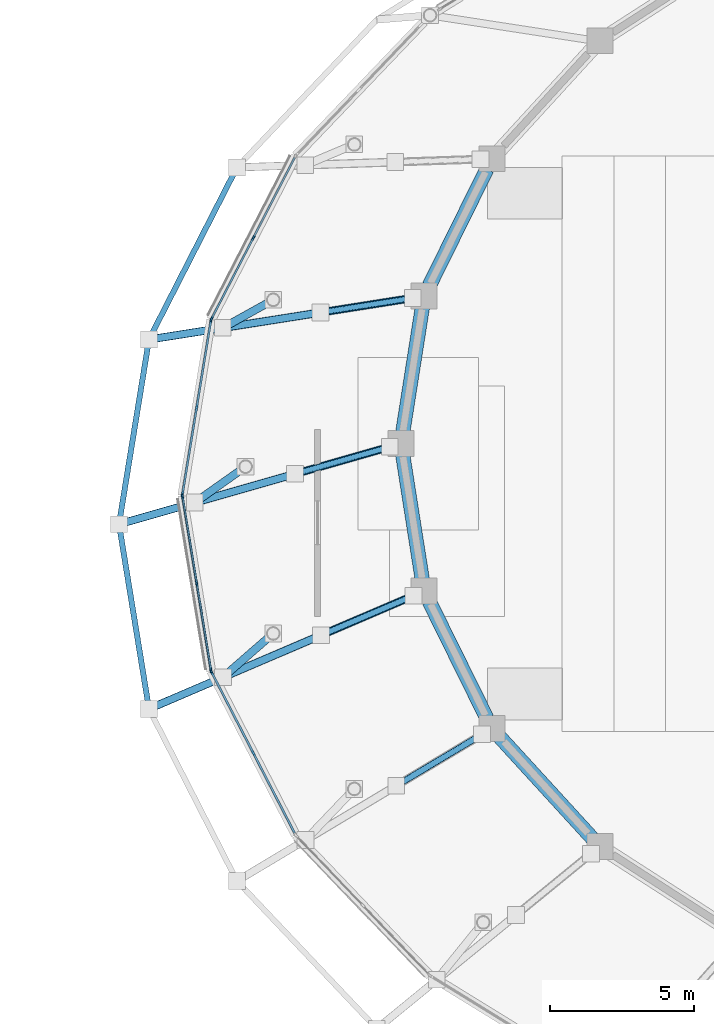
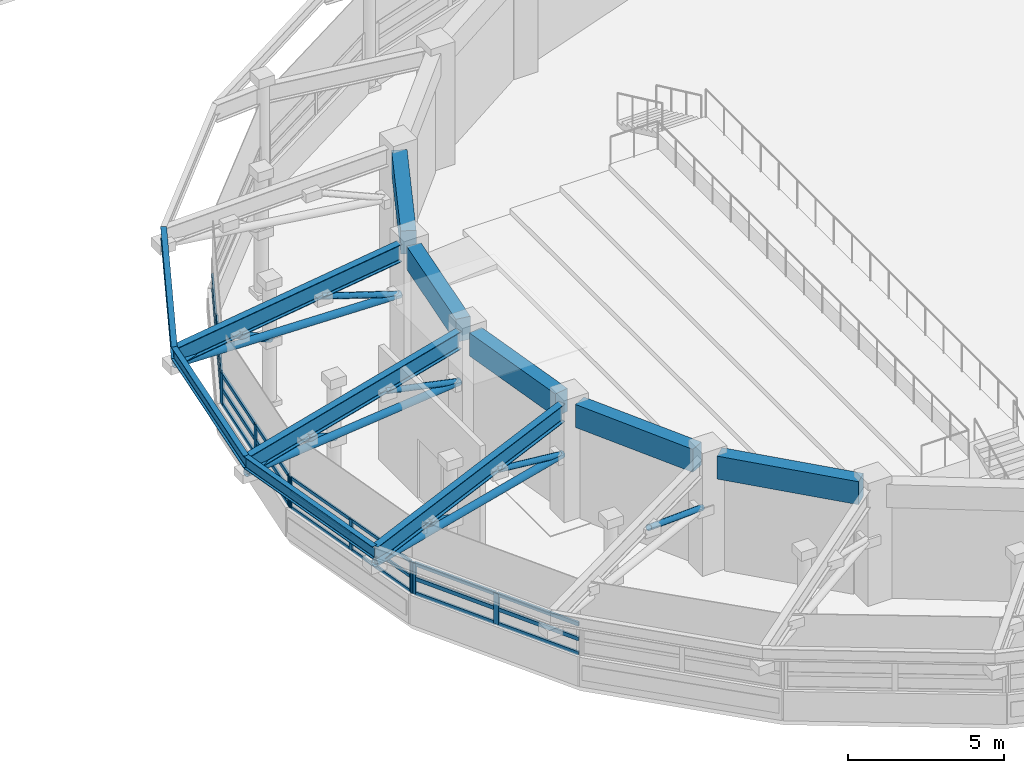
# One storey, part 13 of 56: 43 members, 11 beams, 4 elements without a shape of their own.
"""IFC4 building model written with IfcOpenShell, lengths in metres."""

import ifcopenshell
import ifcopenshell.guid

model = None  # the IFC model being written
_history = None  # IfcOwnerHistory: only IFC2X3 demands one
_inside = {}  # id of a spatial element -> (the spatial element, [elements in it])
_under = {}  # id of a project, library or spatial element -> (it, [spatial elements below it])
_declared = {}  # id of a project -> (the project, [libraries it declares])
_typed = {}  # id of a type object -> (the type object, [elements of that type])
_made_of = {}  # id of a material, layer set ... -> (it, [elements and type objects made of it])


def new_model(schema):
    """Start an empty IFC model of exactly this schema.

    Asked for "IFC4X3", IfcOpenShell would pick the latest addendum, in which some entities
    have other attributes; the version numbers below select the first issue.
    IFC2X3 requires an IfcOwnerHistory on every rooted entity: one is made here for all.
    """
    global model, _history
    if schema == "IFC4X3":
        model = ifcopenshell.file(schema_version=(4, 3, 0, 0))
    else:
        model = ifcopenshell.file(schema=schema)
    _inside.clear()
    _under.clear()
    _declared.clear()
    _typed.clear()
    _made_of.clear()
    _history = None
    if model.schema == "IFC2X3":
        org = make("IfcOrganization", Name="unknown")
        user = make(
            "IfcPersonAndOrganization",
            ThePerson=make("IfcPerson", FamilyName="unknown"),
            TheOrganization=org,
        )
        app = make(
            "IfcApplication",
            ApplicationDeveloper=org,
            Version="unknown",
            ApplicationFullName="unknown",
            ApplicationIdentifier="unknown",
        )
        _history = make(
            "IfcOwnerHistory",
            OwningUser=user,
            OwningApplication=app,
            ChangeAction="ADDED",
            CreationDate=0,
        )
    return model


def make(cls, **values):
    """One entity of the class cls with the attributes given. An attribute that is None is left unset."""
    return model.create_entity(
        cls, **{name: value for name, value in values.items() if value is not None}
    )


def rooted(cls, **values):
    """An entity with a GlobalId (a new one), such as an element, a storey or a relation."""
    return make(cls, GlobalId=ifcopenshell.guid.new(), OwnerHistory=_history, **values)


def si_unit(unit_type, name, prefix=None):
    """IfcSIUnit, for example si_unit("LENGTHUNIT", "METRE", prefix="MILLI")."""
    return make("IfcSIUnit", UnitType=unit_type, Prefix=prefix, Name=name)


def assignment(units):
    """IfcUnitAssignment: the units of a project."""
    return None if units is None else make("IfcUnitAssignment", Units=units)


def point(xyz):
    """IfcCartesianPoint."""
    return None if xyz is None else make("IfcCartesianPoint", Coordinates=xyz)


def direction(xyz):
    """IfcDirection."""
    return None if xyz is None else make("IfcDirection", DirectionRatios=xyz)


def frame(location, z_axis=None, x_axis=None):
    """IfcAxis2Placement3D, a coordinate frame: its origin and axes. An axis left out is left unset."""
    return make(
        "IfcAxis2Placement3D",
        Location=point(location),
        Axis=direction(z_axis),
        RefDirection=direction(x_axis),
    )


def frame_2d(location, x_axis=None):
    """IfcAxis2Placement2D, a coordinate frame in the plane: its origin and x axis."""
    return make(
        "IfcAxis2Placement2D", Location=point(location), RefDirection=direction(x_axis)
    )


def origin():
    """The frame at (0, 0, 0) with its axes left unset."""
    return frame((0.0, 0.0, 0.0))


def origin_2d():
    """The frame at (0, 0) in the plane with its x axis left unset."""
    return frame_2d((0.0, 0.0))


def place(relative_to, where):
    """IfcLocalPlacement: puts the frame where relative to a parent placement (None: the world)."""
    return make(
        "IfcLocalPlacement", PlacementRelTo=relative_to, RelativePlacement=where
    )


def context(
    kind, dimensions, precision=None, world=None, true_north=None, identifier=None
):
    """IfcGeometricRepresentationContext, for example the 3D "Model" context."""
    return make(
        "IfcGeometricRepresentationContext",
        ContextIdentifier=identifier,
        ContextType=kind,
        CoordinateSpaceDimension=dimensions,
        Precision=precision,
        WorldCoordinateSystem=world,
        TrueNorth=true_north,
    )


def subcontext(parent, identifier, kind, view, scale=None):
    """IfcGeometricRepresentationSubContext, for example "Body" below "Model"."""
    return make(
        "IfcGeometricRepresentationSubContext",
        ContextIdentifier=identifier,
        ContextType=kind,
        ParentContext=parent,
        TargetScale=scale,
        TargetView=view,
    )


def project(units=None, contexts=None):
    """IfcProject with its units and contexts."""
    return rooted(
        "IfcProject",
        Name="project",
        RepresentationContexts=contexts,
        UnitsInContext=assignment(units),
    )


def spatial(cls, under=None, at=None, **own):
    """A site, building, storey or space (cls), placed at a placement, below another one or the project."""
    s = rooted(cls, ObjectPlacement=at, **own)
    if under is not None:
        _under.setdefault(under.id(), (under, []))[1].append(s)
    return s


def profile(cls, at=None, kind="AREA", **sizes):
    """A parametric profile (cls). Its sizes go by their IFC names, for example OverallWidth=200.0."""
    return make(cls, ProfileType=kind, Position=at, **sizes)


def rectangle(**sizes):
    """IfcRectangleProfileDef."""
    return profile("IfcRectangleProfileDef", **sizes)


def hollow_circle(**sizes):
    """IfcCircleHollowProfileDef."""
    return profile("IfcCircleHollowProfileDef", **sizes)


def i_section(**sizes):
    """IfcIShapeProfileDef."""
    return profile("IfcIShapeProfileDef", **sizes)


def extrude(swept, where, along, depth):
    """IfcExtrudedAreaSolid: the profile swept, set in the frame where, extruded along a direction by depth."""
    return make(
        "IfcExtrudedAreaSolid",
        SweptArea=swept,
        Position=where,
        ExtrudedDirection=direction(along),
        Depth=depth,
    )


def shape(context_of_items, identifier, shape_type, items):
    """IfcShapeRepresentation: the items that make up one representation, for example the "Body"."""
    return make(
        "IfcShapeRepresentation",
        ContextOfItems=context_of_items,
        RepresentationIdentifier=identifier,
        RepresentationType=shape_type,
        Items=items,
    )


def material(Name=None, Category=None):
    """IfcMaterial."""
    return make("IfcMaterial", Name=Name, Category=Category)


def material_profile(
    of_material, cross_section, Name=None, Category=None, Priority=None
):
    """IfcMaterialProfile: a cross section and its material."""
    return make(
        "IfcMaterialProfile",
        Name=Name,
        Material=of_material,
        Profile=cross_section,
        Priority=Priority,
        Category=Category,
    )


def profile_set(profiles, Name=None, composite=None):
    """IfcMaterialProfileSet."""
    return make(
        "IfcMaterialProfileSet",
        Name=Name,
        MaterialProfiles=profiles,
        CompositeProfile=composite,
    )


def made_of(thing, what):
    """Note that an element or type object is made of a material, layer set ...; save() writes the relation."""
    if what is not None:
        _made_of.setdefault(what.id(), (what, []))[1].append(thing)
    return thing


def type_object(cls, material=None, **own):
    """A type object (cls), such as IfcWallType, which elements share."""
    return made_of(rooted(cls, **own), material)


def element(
    cls,
    number,
    at=None,
    inside=None,
    cuts=None,
    type_object=None,
    material=None,
    context=None,
    identifier="Body",
    shape_type=None,
    held_by="IfcProductDefinitionShape",
    body=None,
    shapes=None,
    **own,
):
    """One element of the class cls, such as IfcWall. Its Tag is "e" and its number.

    at: its placement. inside: the storey or other place that contains it. cuts: it is an
    opening in that element (IfcRelVoidsElement). A single representation is given by context,
    identifier, shape_type and body (its items); several are given by shapes. held_by: the class
    of the entity that holds the representations. save() writes the other relations.
    """
    e = rooted(cls, Tag="e%d" % number, ObjectPlacement=at, **own)
    if body is not None:
        shapes = [shape(context, identifier, shape_type, body)]
    if shapes is not None:
        e.Representation = make(held_by, Representations=shapes)
    if inside is not None:
        _inside.setdefault(inside.id(), (inside, []))[1].append(e)
    if cuts is not None:
        rooted(
            "IfcRelVoidsElement", RelatingBuildingElement=cuts, RelatedOpeningElement=e
        )
    if type_object is not None:
        _typed.setdefault(type_object.id(), (type_object, []))[1].append(e)
    return made_of(e, material)


def aggregate(whole, parts):
    """IfcRelAggregates: a whole, such as a stair, and the parts it consists of."""
    return rooted("IfcRelAggregates", RelatingObject=whole, RelatedObjects=parts)


def save(model, path):
    """Write the relations noted so far, then the file.

    IfcRelAggregates (storeys below a building ...), IfcRelContainedInSpatialStructure (elements
    in a storey), IfcRelDefinesByType, IfcRelAssociatesMaterial and IfcRelDeclares: one each for
    every whole, place, type object, material and project.
    """
    for whole, parts in _under.values():
        aggregate(whole, parts)
    for where, things in _inside.values():
        rooted(
            "IfcRelContainedInSpatialStructure",
            RelatedElements=things,
            RelatingStructure=where,
        )
    for kind, things in _typed.values():
        rooted("IfcRelDefinesByType", RelatedObjects=things, RelatingType=kind)
    for what, things in _made_of.values():
        rooted("IfcRelAssociatesMaterial", RelatedObjects=things, RelatingMaterial=what)
    for by, libraries in _declared.values():
        rooted("IfcRelDeclares", RelatingContext=by, RelatedDefinitions=libraries)
    model.write(path)


model = new_model("IFC4")

# Units and contexts
model_context = context("Model", 3, precision=1e-05, world=origin(), true_north=direction((0.0, 1.0)))
body_context = subcontext(model_context, "Body", "Model", "MODEL_VIEW")
ifc_project = project(units=[si_unit("LENGTHUNIT", "METRE"), si_unit("AREAUNIT", "SQUARE_METRE"), si_unit("VOLUMEUNIT", "CUBIC_METRE"), si_unit("PLANEANGLEUNIT", "RADIAN"), si_unit("MASSUNIT", "GRAM", prefix="KILO")], contexts=[model_context])

# Site, building, storey
site_placement = place(None, origin())
site = spatial("IfcSite", under=ifc_project, at=site_placement, CompositionType="ELEMENT")
building_placement = place(site_placement, origin())
building = spatial("IfcBuilding", under=site, at=building_placement, Name="Parian Resonance Hall", CompositionType="ELEMENT")
storey_placement = place(building_placement, frame((0.0, 0.0, 5.39990234375)))
storey = spatial("IfcBuildingStorey", under=building, at=storey_placement, Name="L01", CompositionType="ELEMENT", Elevation=5.39990234375)

# Beams
ifc_material_1 = material(Name="Concrete C40/50", Category="concrete")
ifc_material_profile_1 = material_profile(ifc_material_1, rectangle(XDim=0.5, YDim=0.89990234375, at=origin_2d()), Name="RC-BM-500x900")
ifc_profile_set_1 = profile_set([ifc_material_profile_1], Name="Concrete C40/50")
beam_type_1 = type_object("IfcBeamType", Name="BM-RC500x900", PredefinedType="USERDEFINED", material=ifc_profile_set_1)
beam_1_placement = place(storey_placement, frame((23.384765625, 53.541259765625, 4.080078125), z_axis=(-0.442697851544, -0.896670849441, 0.0), x_axis=(0.896670849441, -0.442697851544, 0.0)))
element("IfcBeam", 1, at=beam_1_placement, inside=storey, type_object=beam_type_1, Name="Concert hall drum ring beam L01-11", ObjectType="GIRDER", PredefinedType="USERDEFINED", context=body_context, shape_type="SweptSolid", body=[
    extrude(rectangle(XDim=0.5, YDim=0.89990234375, at=origin_2d()), origin(), (0.0, 0.0, 1.0), 4.525390625),
])
for number, where, z_axis, x_axis, name in (
    (2, (21.14208984375, 48.7294921875, 4.080078125), (-0.155033793728, -0.987909167283, 0.0), (0.987909167283, -0.155033793728, 0.0), "Concert hall drum ring beam L01-12"),
    (3, (20.4619140625, 43.604736328125, 4.080078125), (0.155033793728, -0.987909167283, 0.0), (0.987909167283, 0.155033793728, 0.0), "Concert hall drum ring beam L01-13"),
):
    element("IfcBeam", number, at=place(storey_placement, frame(where, z_axis=z_axis, x_axis=x_axis)), inside=storey, type_object=beam_type_1, Name=name, ObjectType="GIRDER", PredefinedType="USERDEFINED", context=body_context, shape_type="SweptSolid", body=[
        extrude(rectangle(XDim=0.5, YDim=0.89990234375, at=origin_2d()), origin(), (0.0, 0.0, 1.0), 4.38720703125),
    ])
beam_2_placement = place(storey_placement, frame((21.38134765625, 38.5166015625, 4.080078125), z_axis=(0.442697851544, -0.896670849441, 0.0), x_axis=(0.896670849441, 0.442697851544, 0.0)))
element("IfcBeam", 4, at=beam_2_placement, inside=storey, type_object=beam_type_1, Name="Concert hall drum ring beam L01-14", ObjectType="GIRDER", PredefinedType="USERDEFINED", context=body_context, shape_type="SweptSolid", body=[
    extrude(rectangle(XDim=0.5, YDim=0.89990234375, at=origin_2d()), origin(), (0.0, 0.0, 1.0), 4.525390625),
])
beam_3_placement = place(storey_placement, frame((23.831787109375, 33.8046875, 4.080078125), z_axis=(0.674892190981, -0.737916343872, 0.0), x_axis=(0.737916343872, 0.674892190981, 0.0)))
element("IfcBeam", 5, at=beam_3_placement, inside=storey, type_object=beam_type_1, Name="Concert hall drum ring beam L01-15", ObjectType="GIRDER", PredefinedType="USERDEFINED", context=body_context, shape_type="SweptSolid", body=[
    extrude(rectangle(XDim=0.5, YDim=0.89990234375, at=origin_2d()), origin(), (0.0, 0.0, 1.0), 4.757080078125),
])
ifc_material_2 = material(Name="Steel S355", Category="steel")
ifc_material_profile_2 = material_profile(ifc_material_2, i_section(OverallWidth=0.194091796875, OverallDepth=0.468994140625, WebThickness=0.0126953125, FlangeThickness=0.0205078125, FilletRadius=0.01513671875, at=origin_2d()), Name="W460x106")
ifc_profile_set_2 = profile_set([ifc_material_profile_2], Name="Steel S355")
beam_type_2 = type_object("IfcBeamType", Name="BM-W460x106", PredefinedType="SPANDREL", material=ifc_profile_set_2)
beam_4_placement = place(storey_placement, frame((14.69970703125, 53.60009765625, 4.295654296875), z_axis=(-0.455104656104, -0.890437955162, 0.0), x_axis=(0.890437955162, -0.455104656104, 0.0)))
element("IfcBeam", 6, at=beam_4_placement, inside=storey, type_object=beam_type_2, Name="Elliptical R2 perimeter spandrel beam 11", PredefinedType="SPANDREL", context=body_context, shape_type="SweptSolid", body=[
    extrude(i_section(OverallWidth=0.194091796875, OverallDepth=0.468994140625, WebThickness=0.0126953125, FlangeThickness=0.0205078125, FilletRadius=0.01513671875, at=origin_2d()), origin(), (0.0, 0.0, 1.0), 6.717529296875),
])
for number, where, z_axis, x_axis, name in (
    (7, (11.642578125, 47.61865234375, 4.295654296875), (-0.160312396627, -0.987066327806, 0.0), (0.987066327806, -0.160312396627, 0.0), "Elliptical R2 perimeter spandrel beam 12"),
    (8, (10.60009765625, 41.199951171875, 4.295654296875), (0.160312396627, -0.987066327806, 0.0), (0.987066327806, 0.160312396627, 0.0), "Elliptical R2 perimeter spandrel beam 13"),
):
    element("IfcBeam", number, at=place(storey_placement, frame(where, z_axis=z_axis, x_axis=x_axis)), inside=storey, type_object=beam_type_2, Name=name, PredefinedType="SPANDREL", context=body_context, shape_type="SweptSolid", body=[
        extrude(i_section(OverallWidth=0.194091796875, OverallDepth=0.468994140625, WebThickness=0.0126953125, FlangeThickness=0.0205078125, FilletRadius=0.01513671875, at=origin_2d()), origin(), (0.0, 0.0, 1.0), 6.502685546875),
    ])
ifc_material_3 = material(Name="Steel S355", Category="steel")
ifc_material_profile_3 = material_profile(ifc_material_3, i_section(OverallWidth=0.256103515625, OverallDepth=0.693115234375, WebThickness=0.014404296875, FlangeThickness=0.023681640625, FilletRadius=0.020263671875, at=origin_2d()), Name="W690x170")
ifc_profile_set_3 = profile_set([ifc_material_profile_3], Name="Steel S355")
beam_type_3 = type_object("IfcBeamType", Name="CG2 W690x170", PredefinedType="USERDEFINED", material=ifc_profile_set_3)
beam_5_placement = place(storey_placement, frame((20.80908203125, 49.0625, 4.18359375), z_axis=(-0.987820920345, -0.155595081312, 0.0), x_axis=(0.155595081312, -0.987820920345, 0.0)))
element("IfcBeam", 9, at=beam_5_placement, inside=storey, type_object=beam_type_3, Name="Radial ring cantilever girder R2-12", ObjectType="GIRDER", PredefinedType="USERDEFINED", context=body_context, shape_type="SweptSolid", body=[
    extrude(i_section(OverallWidth=0.256103515625, OverallDepth=0.693115234375, WebThickness=0.014404296875, FlangeThickness=0.023681640625, FilletRadius=0.020263671875, at=origin_2d()), origin(), (0.0, 0.0, 1.0), 9.279541015625),
])
beam_6_placement = place(storey_placement, frame((20.015380859375, 43.89013671875, 4.18359375), z_axis=(-0.961521125045, -0.27473100679, 0.0), x_axis=(0.27473100679, -0.961521125045, 0.0)))
element("IfcBeam", 10, at=beam_6_placement, inside=storey, type_object=beam_type_3, Name="Radial ring cantilever girder R2-13", ObjectType="GIRDER", PredefinedType="USERDEFINED", context=body_context, shape_type="SweptSolid", body=[
    extrude(i_section(OverallWidth=0.256103515625, OverallDepth=0.693115234375, WebThickness=0.014404296875, FlangeThickness=0.023681640625, FilletRadius=0.020263671875, at=origin_2d()), origin(), (0.0, 0.0, 1.0), 9.7919921875),
])
beam_7_placement = place(storey_placement, frame((20.83642578125, 38.718017578125, 4.18359375), z_axis=(-0.91926998497, -0.39362760921, 0.0), x_axis=(0.39362760921, -0.91926998497, 0.0)))
element("IfcBeam", 11, at=beam_7_placement, inside=storey, type_object=beam_type_3, Name="Radial ring cantilever girder R2-14", ObjectType="GIRDER", PredefinedType="USERDEFINED", context=body_context, shape_type="SweptSolid", body=[
    extrude(i_section(OverallWidth=0.256103515625, OverallDepth=0.693115234375, WebThickness=0.014404296875, FlangeThickness=0.023681640625, FilletRadius=0.020263671875, at=origin_2d()), origin(), (0.0, 0.0, 1.0), 10.001220703125),
])

# Curtain wall, members
ifc_material_4 = material(Name="Bronze-anodised aluminium frame", Category="aluminium")
curtain_wall_type_1 = type_object("IfcCurtainWallType", Name="CW-SYS-05", PredefinedType="NOTDEFINED", material=ifc_material_4)
curtain_wall_1_placement = place(storey_placement, origin())
curtain_wall_1 = element("IfcCurtainWall", 12, at=curtain_wall_1_placement, inside=storey, type_object=curtain_wall_type_1, Name="Elliptical R1 recessed strip curtain wall 11", PredefinedType="NOTDEFINED")
ifc_material_5 = material(Name="Bronze-anodised aluminium frame", Category="aluminium")
ifc_material_profile_4 = material_profile(ifc_material_5, rectangle(XDim=0.06494140625, YDim=0.159912109375, at=origin_2d()), Name="CWM-65x160")
ifc_profile_set_4 = profile_set([ifc_material_profile_4], Name="Bronze-anodised aluminium frame")
member_type_1 = type_object("IfcMemberType", Name="CWM-65x160", PredefinedType="MULLION", material=ifc_profile_set_4)
member_1_placement = place(storey_placement, frame((13.816650390625, 48.3369140625, 1.14208984375), z_axis=(0.0, 0.0, 1.0), x_axis=(-0.888662321607, 0.458562185702, 0.0)))
member_1 = element("IfcMember", 13, at=member_1_placement, type_object=member_type_1, Name="CW-05 mullion 1", PredefinedType="MULLION", context=body_context, shape_type="SweptSolid", body=[
    extrude(rectangle(XDim=0.06494140625, YDim=0.159912109375, at=origin_2d()), origin(), (0.0, 0.0, 1.0), 1.218017578125),
])
member_2_placement = place(storey_placement, frame((15.270263671875, 51.154052734375, 1.14208984375), z_axis=(0.0, 0.0, 1.0), x_axis=(-0.888662321607, 0.458562185702, 0.0)))
member_2 = element("IfcMember", 14, at=member_2_placement, type_object=member_type_1, Name="CW-05 mullion 2", PredefinedType="MULLION", context=body_context, shape_type="SweptSolid", body=[
    extrude(rectangle(XDim=0.06494140625, YDim=0.159912109375, at=origin_2d()), origin(), (0.0, 0.0, 1.0), 1.218017578125),
])

ifc_material_6 = material(Name="Bronze-anodised aluminium frame", Category="aluminium")
curtain_wall_type_2 = type_object("IfcCurtainWallType", Name="CW-SYS-01", PredefinedType="NOTDEFINED", material=ifc_material_6)
curtain_wall_2_placement = place(storey_placement, origin())
curtain_wall_2 = element("IfcCurtainWall", 15, at=curtain_wall_2_placement, inside=storey, type_object=curtain_wall_type_2, Name="Elliptical R1 recessed strip curtain wall 13", PredefinedType="NOTDEFINED")
member_3_placement = place(storey_placement, frame((13.796630859375, 36.1240234375, 1.14208984375), z_axis=(0.0, 0.0, 1.0), x_axis=(-0.986815485171, -0.161849307153, 0.0)))
member_3 = element("IfcMember", 16, at=member_3_placement, type_object=member_type_1, Name="CW-01 mullion 1", PredefinedType="MULLION", context=body_context, shape_type="SweptSolid", body=[
    extrude(rectangle(XDim=0.06494140625, YDim=0.159912109375, at=origin_2d()), origin(), (0.0, 0.0, 1.0), 1.218017578125),
])
member_4_placement = place(storey_placement, frame((13.30078125, 39.14599609375, 1.14208984375), z_axis=(0.0, 0.0, 1.0), x_axis=(-0.986815485171, -0.161849307153, 0.0)))
member_4 = element("IfcMember", 17, at=member_4_placement, type_object=member_type_1, Name="CW-01 mullion 2", PredefinedType="MULLION", context=body_context, shape_type="SweptSolid", body=[
    extrude(rectangle(XDim=0.06494140625, YDim=0.159912109375, at=origin_2d()), origin(), (0.0, 0.0, 1.0), 1.218017578125),
])
member_5_placement = place(storey_placement, frame((12.80517578125, 42.16796875, 1.14208984375), z_axis=(0.0, 0.0, 1.0), x_axis=(-0.986815485171, -0.161849307153, 0.0)))
member_5 = element("IfcMember", 18, at=member_5_placement, type_object=member_type_1, Name="CW-01 mullion 3", PredefinedType="MULLION", context=body_context, shape_type="SweptSolid", body=[
    extrude(rectangle(XDim=0.06494140625, YDim=0.159912109375, at=origin_2d()), origin(), (0.0, 0.0, 1.0), 1.218017578125),
])

ifc_material_7 = material(Name="Bronze-anodised aluminium frame", Category="aluminium")
curtain_wall_type_3 = type_object("IfcCurtainWallType", Name="CW-SYS-06", PredefinedType="NOTDEFINED", material=ifc_material_7)
curtain_wall_3_placement = place(storey_placement, origin())
curtain_wall_3 = element("IfcCurtainWall", 19, at=curtain_wall_3_placement, inside=storey, type_object=curtain_wall_type_3, Name="Elliptical R1 recessed strip curtain wall 12", PredefinedType="NOTDEFINED")
ifc_material_8 = material(Name="Bronze-anodised aluminium frame", Category="aluminium")
ifc_material_profile_5 = material_profile(ifc_material_8, rectangle(XDim=0.074951171875, YDim=0.199951171875, at=origin_2d()), Name="CWM-75x200")
ifc_profile_set_5 = profile_set([ifc_material_profile_5], Name="Bronze-anodised aluminium frame")
member_type_2 = type_object("IfcMemberType", Name="CWM-75x200", PredefinedType="MULLION", material=ifc_profile_set_5)
member_6_placement = place(storey_placement, frame((12.80615234375, 42.237060546875, 1.14208984375), z_axis=(0.0, 0.0, 1.0), x_axis=(-0.986815485171, 0.161849307153, 0.0)))
member_6 = element("IfcMember", 20, at=member_6_placement, type_object=member_type_2, Name="CW-06 mullion 1", PredefinedType="MULLION", context=body_context, shape_type="SweptSolid", body=[
    extrude(rectangle(XDim=0.074951171875, YDim=0.199951171875, at=origin_2d()), origin(), (0.0, 0.0, 1.0), 1.218017578125),
])
member_7_placement = place(storey_placement, frame((13.30078125, 45.254150390625, 1.14208984375), z_axis=(0.0, 0.0, 1.0), x_axis=(-0.986815485171, 0.161849307153, 0.0)))
member_7 = element("IfcMember", 21, at=member_7_placement, type_object=member_type_2, Name="CW-06 mullion 2", PredefinedType="MULLION", context=body_context, shape_type="SweptSolid", body=[
    extrude(rectangle(XDim=0.074951171875, YDim=0.199951171875, at=origin_2d()), origin(), (0.0, 0.0, 1.0), 1.218017578125),
])
member_8_placement = place(storey_placement, frame((13.795654296875, 48.27099609375, 1.14208984375), z_axis=(0.0, 0.0, 1.0), x_axis=(-0.986815485171, 0.161849307153, 0.0)))
member_8 = element("IfcMember", 22, at=member_8_placement, type_object=member_type_2, Name="CW-06 mullion 3", PredefinedType="MULLION", context=body_context, shape_type="SweptSolid", body=[
    extrude(rectangle(XDim=0.074951171875, YDim=0.199951171875, at=origin_2d()), origin(), (0.0, 0.0, 1.0), 1.218017578125),
])

ifc_material_9 = material(Name="Bronze-anodised aluminium frame", Category="aluminium")
curtain_wall_type_4 = type_object("IfcCurtainWallType", Name="CW-SYS-02", PredefinedType="NOTDEFINED", material=ifc_material_9)
curtain_wall_4_placement = place(storey_placement, origin())
curtain_wall_4 = element("IfcCurtainWall", 23, at=curtain_wall_4_placement, inside=storey, type_object=curtain_wall_type_4, Name="Elliptical R1 recessed strip curtain wall 14", PredefinedType="NOTDEFINED")
member_9_placement = place(storey_placement, frame((15.270263671875, 33.245849609375, 1.14208984375), z_axis=(0.0, 0.0, 1.0), x_axis=(-0.888662321607, -0.458562185702, 0.0)))
member_9 = element("IfcMember", 24, at=member_9_placement, type_object=member_type_2, Name="CW-02 mullion 2", PredefinedType="MULLION", context=body_context, shape_type="SweptSolid", body=[
    extrude(rectangle(XDim=0.074951171875, YDim=0.199951171875, at=origin_2d()), origin(), (0.0, 0.0, 1.0), 1.218017578125),
])
member_10_placement = place(storey_placement, frame((13.819091796875, 36.05859375, 1.14208984375), z_axis=(0.0, 0.0, 1.0), x_axis=(-0.888662321607, -0.458562185702, 0.0)))
member_10 = element("IfcMember", 25, at=member_10_placement, type_object=member_type_2, Name="CW-02 mullion 3", PredefinedType="MULLION", context=body_context, shape_type="SweptSolid", body=[
    extrude(rectangle(XDim=0.074951171875, YDim=0.199951171875, at=origin_2d()), origin(), (0.0, 0.0, 1.0), 1.218017578125),
])

# Member
ifc_material_10 = material(Name="Bronze-anodised aluminium frame", Category="aluminium")
ifc_material_profile_6 = material_profile(ifc_material_10, rectangle(XDim=0.06494140625, YDim=0.1201171875, at=origin_2d()), Name="CWT-65x120")
ifc_profile_set_6 = profile_set([ifc_material_profile_6], Name="Bronze-anodised aluminium frame")
member_type_3 = type_object("IfcMemberType", Name="CWT-65x120", PredefinedType="USERDEFINED", material=ifc_profile_set_6)
member_11_placement = place(storey_placement, frame((13.83154296875, 48.365966796875, 1.174560546875), z_axis=(0.458562803169, 0.888662002985, 0.0), x_axis=(-0.888662002985, 0.458562803169, 0.0)))
member_11 = element("IfcMember", 26, at=member_11_placement, type_object=member_type_3, Name="CW-05 transom 1.1", ObjectType="TRANSOM", PredefinedType="USERDEFINED", context=body_context, shape_type="SweptSolid", body=[
    extrude(rectangle(XDim=0.06494140625, YDim=0.1201171875, at=origin_2d()), origin(), (0.0, 0.0, 1.0), 3.10498046875),
])

member_12_placement = place(storey_placement, frame((13.83154296875, 48.365966796875, 1.75), z_axis=(0.458562803169, 0.888662002985, 0.0), x_axis=(-0.888662002985, 0.458562803169, 0.0)))
member_12 = element("IfcMember", 27, at=member_12_placement, type_object=member_type_3, Name="CW-05 transom 1.2", ObjectType="TRANSOM", PredefinedType="USERDEFINED", context=body_context, shape_type="SweptSolid", body=[
    extrude(rectangle(XDim=0.06494140625, YDim=0.1201171875, at=origin_2d()), origin(), (0.0, 0.0, 1.0), 3.10498046875),
])

member_13_placement = place(storey_placement, frame((13.83154296875, 48.365966796875, 2.32763671875), z_axis=(0.458562803169, 0.888662002985, 0.0), x_axis=(-0.888662002985, 0.458562803169, 0.0)))
member_13 = element("IfcMember", 28, at=member_13_placement, type_object=member_type_3, Name="CW-05 transom 1.3", ObjectType="TRANSOM", PredefinedType="USERDEFINED", context=body_context, shape_type="SweptSolid", body=[
    extrude(rectangle(XDim=0.06494140625, YDim=0.1201171875, at=origin_2d()), origin(), (0.0, 0.0, 1.0), 3.10498046875),
])

member_14_placement = place(storey_placement, frame((15.28515625, 51.182861328125, 1.174560546875), z_axis=(0.458562803169, 0.888662002985, 0.0), x_axis=(-0.888662002985, 0.458562803169, 0.0)))
member_14 = element("IfcMember", 29, at=member_14_placement, type_object=member_type_3, Name="CW-05 transom 2.1", ObjectType="TRANSOM", PredefinedType="USERDEFINED", context=body_context, shape_type="SweptSolid", body=[
    extrude(rectangle(XDim=0.06494140625, YDim=0.1201171875, at=origin_2d()), origin(), (0.0, 0.0, 1.0), 3.10498046875),
])

member_15_placement = place(storey_placement, frame((15.28515625, 51.182861328125, 1.75), z_axis=(0.458562803169, 0.888662002985, 0.0), x_axis=(-0.888662002985, 0.458562803169, 0.0)))
member_15 = element("IfcMember", 30, at=member_15_placement, type_object=member_type_3, Name="CW-05 transom 2.2", ObjectType="TRANSOM", PredefinedType="USERDEFINED", context=body_context, shape_type="SweptSolid", body=[
    extrude(rectangle(XDim=0.06494140625, YDim=0.1201171875, at=origin_2d()), origin(), (0.0, 0.0, 1.0), 3.10498046875),
])

aggregate(curtain_wall_1, [member_1, member_2, member_11, member_12, member_13, member_14, member_15])

member_16_placement = place(storey_placement, frame((13.791259765625, 36.156005859375, 1.174560546875), z_axis=(-0.161849147428, 0.986815511368, 0.0), x_axis=(-0.986815511368, -0.161849147428, 0.0)))
member_16 = element("IfcMember", 31, at=member_16_placement, type_object=member_type_3, Name="CW-01 transom 1.1", ObjectType="TRANSOM", PredefinedType="USERDEFINED", context=body_context, shape_type="SweptSolid", body=[
    extrude(rectangle(XDim=0.06494140625, YDim=0.1201171875, at=origin_2d()), origin(), (0.0, 0.0, 1.0), 2.997314453125),
])

member_17_placement = place(storey_placement, frame((13.791259765625, 36.156005859375, 1.75), z_axis=(-0.161849147428, 0.986815511368, 0.0), x_axis=(-0.986815511368, -0.161849147428, 0.0)))
member_17 = element("IfcMember", 32, at=member_17_placement, type_object=member_type_3, Name="CW-01 transom 1.2", ObjectType="TRANSOM", PredefinedType="USERDEFINED", context=body_context, shape_type="SweptSolid", body=[
    extrude(rectangle(XDim=0.06494140625, YDim=0.1201171875, at=origin_2d()), origin(), (0.0, 0.0, 1.0), 2.997314453125),
])

member_18_placement = place(storey_placement, frame((13.791259765625, 36.156005859375, 2.32763671875), z_axis=(-0.161849147428, 0.986815511368, 0.0), x_axis=(-0.986815511368, -0.161849147428, 0.0)))
member_18 = element("IfcMember", 33, at=member_18_placement, type_object=member_type_3, Name="CW-01 transom 1.3", ObjectType="TRANSOM", PredefinedType="USERDEFINED", context=body_context, shape_type="SweptSolid", body=[
    extrude(rectangle(XDim=0.06494140625, YDim=0.1201171875, at=origin_2d()), origin(), (0.0, 0.0, 1.0), 2.997314453125),
])

member_19_placement = place(storey_placement, frame((13.295654296875, 39.177978515625, 1.174560546875), z_axis=(-0.161849147428, 0.986815511368, 0.0), x_axis=(-0.986815511368, -0.161849147428, 0.0)))
member_19 = element("IfcMember", 34, at=member_19_placement, type_object=member_type_3, Name="CW-01 transom 2.1", ObjectType="TRANSOM", PredefinedType="USERDEFINED", context=body_context, shape_type="SweptSolid", body=[
    extrude(rectangle(XDim=0.06494140625, YDim=0.1201171875, at=origin_2d()), origin(), (0.0, 0.0, 1.0), 2.997314453125),
])

member_20_placement = place(storey_placement, frame((13.295654296875, 39.177978515625, 1.75), z_axis=(-0.161849147428, 0.986815511368, 0.0), x_axis=(-0.986815511368, -0.161849147428, 0.0)))
member_20 = element("IfcMember", 35, at=member_20_placement, type_object=member_type_3, Name="CW-01 transom 2.2", ObjectType="TRANSOM", PredefinedType="USERDEFINED", context=body_context, shape_type="SweptSolid", body=[
    extrude(rectangle(XDim=0.06494140625, YDim=0.1201171875, at=origin_2d()), origin(), (0.0, 0.0, 1.0), 2.997314453125),
])

member_21_placement = place(storey_placement, frame((13.295654296875, 39.177978515625, 2.32763671875), z_axis=(-0.161849147428, 0.986815511368, 0.0), x_axis=(-0.986815511368, -0.161849147428, 0.0)))
member_21 = element("IfcMember", 36, at=member_21_placement, type_object=member_type_3, Name="CW-01 transom 2.3", ObjectType="TRANSOM", PredefinedType="USERDEFINED", context=body_context, shape_type="SweptSolid", body=[
    extrude(rectangle(XDim=0.06494140625, YDim=0.1201171875, at=origin_2d()), origin(), (0.0, 0.0, 1.0), 2.997314453125),
])

aggregate(curtain_wall_2, [member_3, member_4, member_5, member_16, member_17, member_18, member_19, member_20, member_21])

ifc_material_11 = material(Name="Bronze-anodised aluminium frame", Category="aluminium")
ifc_material_profile_7 = material_profile(ifc_material_11, rectangle(XDim=0.074951171875, YDim=0.14990234375, at=origin_2d()), Name="CWT-75x150")
ifc_profile_set_7 = profile_set([ifc_material_profile_7], Name="Bronze-anodised aluminium frame")
member_type_4 = type_object("IfcMemberType", Name="CWT-75x150", PredefinedType="USERDEFINED", material=ifc_profile_set_7)
member_22_placement = place(storey_placement, frame((12.812255859375, 42.27392578125, 1.1796875), z_axis=(0.16183644824, 0.986817594098, 0.0), x_axis=(-0.986817594098, 0.16183644824, 0.0)))
member_22 = element("IfcMember", 37, at=member_22_placement, type_object=member_type_4, Name="CW-06 transom 1.1", ObjectType="TRANSOM", PredefinedType="USERDEFINED", context=body_context, shape_type="SweptSolid", body=[
    extrude(rectangle(XDim=0.074951171875, YDim=0.14990234375, at=origin_2d()), origin(), (0.0, 0.0, 1.0), 2.982421875),
])

member_23_placement = place(storey_placement, frame((12.812255859375, 42.27392578125, 1.75), z_axis=(0.16183644824, 0.986817594098, 0.0), x_axis=(-0.986817594098, 0.16183644824, 0.0)))
member_23 = element("IfcMember", 38, at=member_23_placement, type_object=member_type_4, Name="CW-06 transom 1.2", ObjectType="TRANSOM", PredefinedType="USERDEFINED", context=body_context, shape_type="SweptSolid", body=[
    extrude(rectangle(XDim=0.074951171875, YDim=0.14990234375, at=origin_2d()), origin(), (0.0, 0.0, 1.0), 2.982421875),
])

member_24_placement = place(storey_placement, frame((12.812255859375, 42.27392578125, 2.322509765625), z_axis=(0.16183644824, 0.986817594098, 0.0), x_axis=(-0.986817594098, 0.16183644824, 0.0)))
member_24 = element("IfcMember", 39, at=member_24_placement, type_object=member_type_4, Name="CW-06 transom 1.3", ObjectType="TRANSOM", PredefinedType="USERDEFINED", context=body_context, shape_type="SweptSolid", body=[
    extrude(rectangle(XDim=0.074951171875, YDim=0.14990234375, at=origin_2d()), origin(), (0.0, 0.0, 1.0), 2.982421875),
])

member_25_placement = place(storey_placement, frame((13.306884765625, 45.291015625, 1.1796875), z_axis=(0.16183644824, 0.986817594098, 0.0), x_axis=(-0.986817594098, 0.16183644824, 0.0)))
member_25 = element("IfcMember", 40, at=member_25_placement, type_object=member_type_4, Name="CW-06 transom 2.1", ObjectType="TRANSOM", PredefinedType="USERDEFINED", context=body_context, shape_type="SweptSolid", body=[
    extrude(rectangle(XDim=0.074951171875, YDim=0.14990234375, at=origin_2d()), origin(), (0.0, 0.0, 1.0), 2.982421875),
])

member_26_placement = place(storey_placement, frame((13.306884765625, 45.291015625, 1.75), z_axis=(0.16183644824, 0.986817594098, 0.0), x_axis=(-0.986817594098, 0.16183644824, 0.0)))
member_26 = element("IfcMember", 41, at=member_26_placement, type_object=member_type_4, Name="CW-06 transom 2.2", ObjectType="TRANSOM", PredefinedType="USERDEFINED", context=body_context, shape_type="SweptSolid", body=[
    extrude(rectangle(XDim=0.074951171875, YDim=0.14990234375, at=origin_2d()), origin(), (0.0, 0.0, 1.0), 2.982421875),
])

member_27_placement = place(storey_placement, frame((13.306884765625, 45.291015625, 2.322509765625), z_axis=(0.16183644824, 0.986817594098, 0.0), x_axis=(-0.986817594098, 0.16183644824, 0.0)))
member_27 = element("IfcMember", 42, at=member_27_placement, type_object=member_type_4, Name="CW-06 transom 2.3", ObjectType="TRANSOM", PredefinedType="USERDEFINED", context=body_context, shape_type="SweptSolid", body=[
    extrude(rectangle(XDim=0.074951171875, YDim=0.14990234375, at=origin_2d()), origin(), (0.0, 0.0, 1.0), 2.982421875),
])

aggregate(curtain_wall_3, [member_6, member_7, member_8, member_22, member_23, member_24, member_25, member_26, member_27])

member_28_placement = place(storey_placement, frame((16.70458984375, 30.466552734375, 1.1796875), z_axis=(-0.458554367767, 0.888666355727, 0.0), x_axis=(-0.888666355727, -0.458554367767, 0.0)))
member_28 = element("IfcMember", 43, at=member_28_placement, type_object=member_type_4, Name="CW-02 transom 1.1", ObjectType="TRANSOM", PredefinedType="USERDEFINED", context=body_context, shape_type="SweptSolid", body=[
    extrude(rectangle(XDim=0.074951171875, YDim=0.14990234375, at=origin_2d()), origin(), (0.0, 0.0, 1.0), 3.090087890625),
])

member_29_placement = place(storey_placement, frame((16.70458984375, 30.466552734375, 1.75), z_axis=(-0.458554367767, 0.888666355727, 0.0), x_axis=(-0.888666355727, -0.458554367767, 0.0)))
member_29 = element("IfcMember", 44, at=member_29_placement, type_object=member_type_4, Name="CW-02 transom 1.2", ObjectType="TRANSOM", PredefinedType="USERDEFINED", context=body_context, shape_type="SweptSolid", body=[
    extrude(rectangle(XDim=0.074951171875, YDim=0.14990234375, at=origin_2d()), origin(), (0.0, 0.0, 1.0), 3.090087890625),
])

member_30_placement = place(storey_placement, frame((16.70458984375, 30.466552734375, 2.322509765625), z_axis=(-0.458554367767, 0.888666355727, 0.0), x_axis=(-0.888666355727, -0.458554367767, 0.0)))
member_30 = element("IfcMember", 45, at=member_30_placement, type_object=member_type_4, Name="CW-02 transom 1.3", ObjectType="TRANSOM", PredefinedType="USERDEFINED", context=body_context, shape_type="SweptSolid", body=[
    extrude(rectangle(XDim=0.074951171875, YDim=0.14990234375, at=origin_2d()), origin(), (0.0, 0.0, 1.0), 3.090087890625),
])

member_31_placement = place(storey_placement, frame((15.253173828125, 33.279296875, 1.1796875), z_axis=(-0.458586565066, 0.888649741091, 0.0), x_axis=(-0.888649741091, -0.458586565066, 0.0)))
member_31 = element("IfcMember", 46, at=member_31_placement, type_object=member_type_4, Name="CW-02 transom 2.1", ObjectType="TRANSOM", PredefinedType="USERDEFINED", context=body_context, shape_type="SweptSolid", body=[
    extrude(rectangle(XDim=0.074951171875, YDim=0.14990234375, at=origin_2d()), origin(), (0.0, 0.0, 1.0), 3.08984375),
])

member_32_placement = place(storey_placement, frame((15.253173828125, 33.279296875, 1.75), z_axis=(-0.458586565066, 0.888649741091, 0.0), x_axis=(-0.888649741091, -0.458586565066, 0.0)))
member_32 = element("IfcMember", 47, at=member_32_placement, type_object=member_type_4, Name="CW-02 transom 2.2", ObjectType="TRANSOM", PredefinedType="USERDEFINED", context=body_context, shape_type="SweptSolid", body=[
    extrude(rectangle(XDim=0.074951171875, YDim=0.14990234375, at=origin_2d()), origin(), (0.0, 0.0, 1.0), 3.08984375),
])

member_33_placement = place(storey_placement, frame((15.253173828125, 33.279296875, 2.322509765625), z_axis=(-0.458586565066, 0.888649741091, 0.0), x_axis=(-0.888649741091, -0.458586565066, 0.0)))
member_33 = element("IfcMember", 48, at=member_33_placement, type_object=member_type_4, Name="CW-02 transom 2.3", ObjectType="TRANSOM", PredefinedType="USERDEFINED", context=body_context, shape_type="SweptSolid", body=[
    extrude(rectangle(XDim=0.074951171875, YDim=0.14990234375, at=origin_2d()), origin(), (0.0, 0.0, 1.0), 3.08984375),
])

aggregate(curtain_wall_4, [member_9, member_10, member_28, member_29, member_30, member_31, member_32, member_33])

# Members
ifc_material_12 = material(Name="Hollow structural steel S355", Category="steel")
ifc_material_profile_8 = material_profile(ifc_material_12, hollow_circle(Radius=0.109619140625, WallThickness=0.010009765625, at=origin_2d()), Name="CHS219.1x10")
ifc_profile_set_8 = profile_set([ifc_material_profile_8], Name="Hollow structural steel S355")
member_type_5 = type_object("IfcMemberType", Name="MEM-CHS219", PredefinedType="CHORD", material=ifc_profile_set_8)
member_34_placement = place(storey_placement, frame((20.80908203125, 49.062255859375, 2.507080078125), z_axis=(-0.9121570479, -0.143615625303, 0.383854232926), x_axis=(0.155530219752, -0.987831134731, 0.0)))
element("IfcMember", 49, at=member_34_placement, inside=storey, type_object=member_type_5, Name="Elliptical ring truss inner web R2-12", PredefinedType="CHORD", context=body_context, shape_type="SweptSolid", body=[
    extrude(hollow_circle(Radius=0.109619140625, WallThickness=0.010009765625, at=origin_2d()), origin(), (0.0, 0.0, 1.0), 3.517333984375),
])
member_35_placement = place(storey_placement, frame((20.015380859375, 43.89013671875, 2.507080078125), z_axis=(-0.89460721864, -0.255630466906, 0.366511921698), x_axis=(0.274749352552, -0.961515883006, 0.0)))
element("IfcMember", 50, at=member_35_placement, inside=storey, type_object=member_type_5, Name="Elliptical ring truss inner web R2-13", PredefinedType="CHORD", context=body_context, shape_type="SweptSolid", body=[
    extrude(hollow_circle(Radius=0.109619140625, WallThickness=0.010009765625, at=origin_2d()), origin(), (0.0, 0.0, 1.0), 3.68359375),
])
member_36_placement = place(storey_placement, frame((20.83642578125, 38.718017578125, 2.507080078125), z_axis=(-0.857675967823, -0.367277933414, 0.35985949181), x_axis=(0.393649915412, -0.919260433227, 0.0)))
element("IfcMember", 51, at=member_36_placement, inside=storey, type_object=member_type_5, Name="Elliptical ring truss inner web R2-14", PredefinedType="CHORD", context=body_context, shape_type="SweptSolid", body=[
    extrude(hollow_circle(Radius=0.109619140625, WallThickness=0.010009765625, at=origin_2d()), origin(), (0.0, 0.0, 1.0), 3.751708984375),
])
member_37_placement = place(storey_placement, frame((23.218505859375, 33.894775390625, 2.507080078125), z_axis=(-0.799951439875, -0.478411964042, 0.362214972776), x_axis=(0.513265469258, -0.858229898144, 0.0)))
element("IfcMember", 52, at=member_37_placement, inside=storey, type_object=member_type_5, Name="Elliptical ring truss inner web R2-15", PredefinedType="CHORD", context=body_context, shape_type="SweptSolid", body=[
    extrude(hollow_circle(Radius=0.109619140625, WallThickness=0.010009765625, at=origin_2d()), origin(), (0.0, 0.0, 1.0), 3.727294921875),
])
ifc_material_13 = material(Name="Hollow structural steel S355", Category="steel")
ifc_material_profile_9 = material_profile(ifc_material_13, hollow_circle(Radius=0.136474609375, WallThickness=0.012451171875, at=origin_2d()), Name="CHS273x12.5")
ifc_profile_set_9 = profile_set([ifc_material_profile_9], Name="Hollow structural steel S355")
member_type_6 = type_object("IfcMemberType", Name="MEM-CHS273", PredefinedType="CHORD", material=ifc_profile_set_9)
member_38_placement = place(storey_placement, frame((20.80908203125, 49.062255859375, 2.507080078125), z_axis=(-0.977532863602, -0.153948538392, 0.143976901287), x_axis=(0.155569408487, -0.987824963818, 0.0)))
element("IfcMember", 53, at=member_38_placement, inside=storey, type_object=member_type_6, Name="Elliptical ring truss lower chord R2-12", PredefinedType="CHORD", context=body_context, shape_type="SweptSolid", body=[
    extrude(hollow_circle(Radius=0.136474609375, WallThickness=0.012451171875, at=origin_2d()), origin(), (0.0, 0.0, 1.0), 9.377197265625),
])
member_39_placement = place(storey_placement, frame((20.015380859375, 43.89013671875, 2.507080078125), z_axis=(-0.952510156965, -0.272156344343, 0.136584498069), x_axis=(0.27473100679, -0.961521125045, 0.0)))
element("IfcMember", 54, at=member_39_placement, inside=storey, type_object=member_type_6, Name="Elliptical ring truss lower chord R2-13", PredefinedType="CHORD", context=body_context, shape_type="SweptSolid", body=[
    extrude(hollow_circle(Radius=0.136474609375, WallThickness=0.012451171875, at=origin_2d()), origin(), (0.0, 0.0, 1.0), 9.884765625),
])
member_40_placement = place(storey_placement, frame((20.83642578125, 38.718017578125, 2.507080078125), z_axis=(-0.911006782871, -0.390089340215, 0.133779476055), x_axis=(0.39362760921, -0.91926998497, 0.0)))
element("IfcMember", 55, at=member_40_placement, inside=storey, type_object=member_type_6, Name="Elliptical ring truss lower chord R2-14", PredefinedType="CHORD", context=body_context, shape_type="SweptSolid", body=[
    extrude(hollow_circle(Radius=0.136474609375, WallThickness=0.012451171875, at=origin_2d()), origin(), (0.0, 0.0, 1.0), 10.092041015625),
])
ifc_material_14 = material(Name="Hollow structural steel S355", Category="steel")
ifc_material_profile_10 = material_profile(ifc_material_14, hollow_circle(Radius=0.136474609375, WallThickness=0.012451171875, at=origin_2d()), Name="CHS273x12.5")
ifc_profile_set_10 = profile_set([ifc_material_profile_10], Name="Hollow structural steel S355")
member_type_7 = type_object("IfcMemberType", Name="MEM-STRUT273", PredefinedType="BRACE", material=ifc_profile_set_10)
member_41_placement = place(storey_placement, frame((15.9609375, 48.99755859375, 2.507080078125), z_axis=(-0.724793366469, -0.403257856299, 0.558621228791), x_axis=(0.486190896611, -0.873852626049, 0.0)))
element("IfcMember", 56, at=member_41_placement, inside=storey, type_object=member_type_7, Name="Elliptical ring raking strut R2-12", PredefinedType="BRACE", context=body_context, shape_type="SweptSolid", body=[
    extrude(hollow_circle(Radius=0.136474609375, WallThickness=0.012451171875, at=origin_2d()), origin(), (0.0, 0.0, 1.0), 2.416748046875),
])
member_42_placement = place(storey_placement, frame((15.0, 43.199951171875, 2.507080078125), z_axis=(-0.692414992962, -0.4895021275, 0.530046360892), x_axis=(0.577264406363, -0.816557288343, 0.0)))
element("IfcMember", 57, at=member_42_placement, inside=storey, type_object=member_type_7, Name="Elliptical ring raking strut R2-13", PredefinedType="BRACE", context=body_context, shape_type="SweptSolid", body=[
    extrude(hollow_circle(Radius=0.136474609375, WallThickness=0.012451171875, at=origin_2d()), origin(), (0.0, 0.0, 1.0), 2.547119140625),
])
member_43_placement = place(storey_placement, frame((15.9609375, 37.402587890625, 2.507080078125), z_axis=(-0.65120513305, -0.567240422489, 0.504152930949), x_axis=(0.656821407988, -0.754046177637, 0.0)))
element("IfcMember", 58, at=member_43_placement, inside=storey, type_object=member_type_7, Name="Elliptical ring raking strut R2-14", PredefinedType="BRACE", context=body_context, shape_type="SweptSolid", body=[
    extrude(hollow_circle(Radius=0.136474609375, WallThickness=0.012451171875, at=origin_2d()), origin(), (0.0, 0.0, 1.0), 2.677978515625),
])

save(model, "model.ifc")
